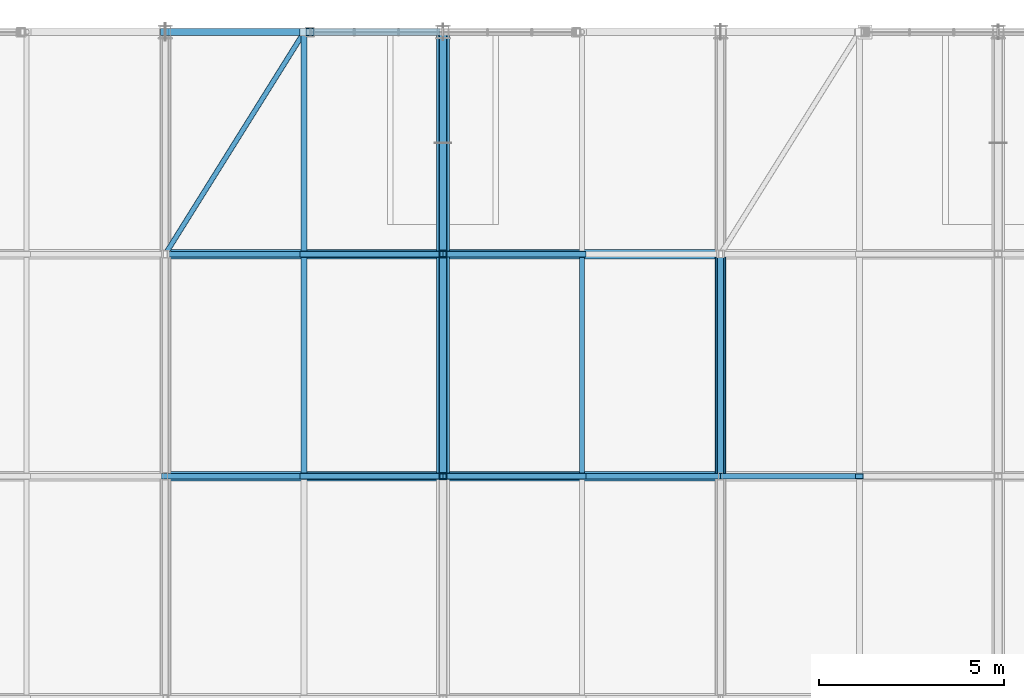
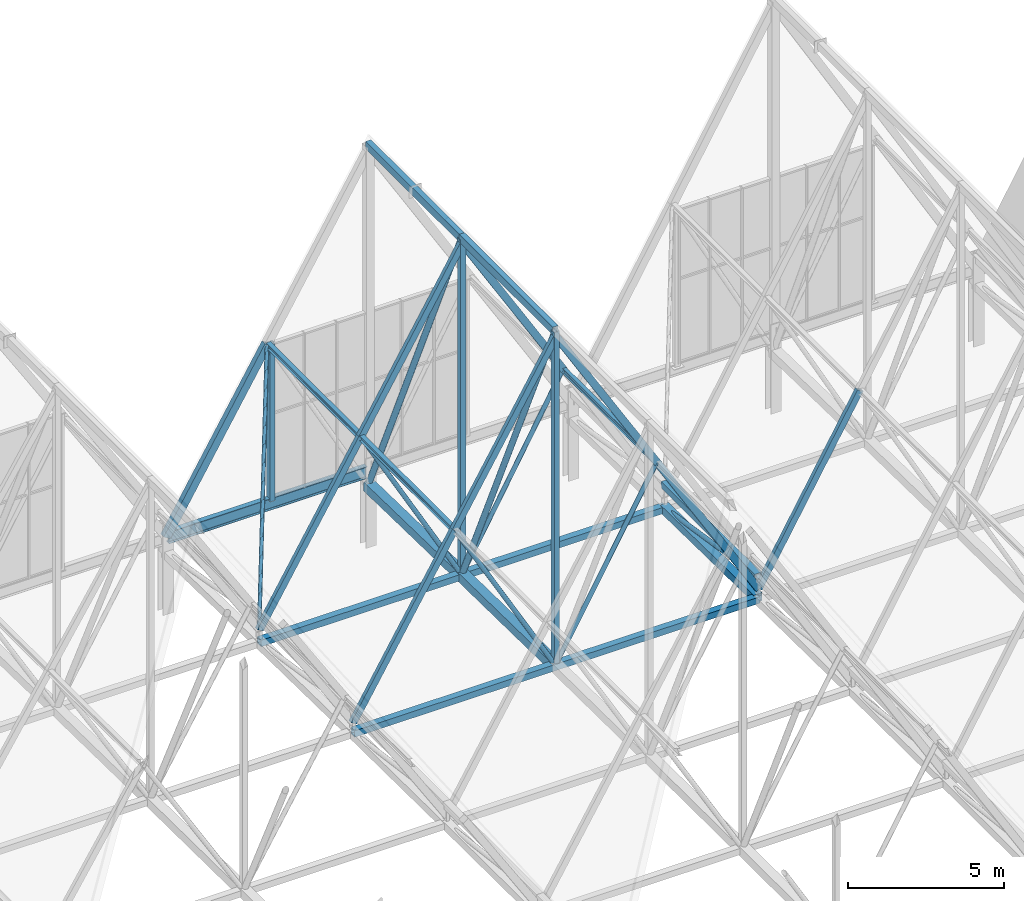
# One storey, part 114 of 324: 28 members, 4 beams.
"""IFC4 building model written with IfcOpenShell, lengths in metres."""

from ifc_helpers import new_model, si_unit, direction, frame, origin, origin_2d, place, context, subcontext, project, spatial, hollow_rectangle, hollow_circle, i_section, extrude, material, material_profile, profile_set, type_object, element, save


model = new_model("IFC4")

# Units and contexts
model_context = context("Model", 3, precision=1e-05, world=origin(), true_north=direction((0.0, 1.0)))
body_context = subcontext(model_context, "Body", "Model", "MODEL_VIEW")
ifc_project = project(units=[si_unit("LENGTHUNIT", "METRE"), si_unit("AREAUNIT", "SQUARE_METRE"), si_unit("VOLUMEUNIT", "CUBIC_METRE"), si_unit("PLANEANGLEUNIT", "RADIAN"), si_unit("MASSUNIT", "GRAM", prefix="KILO")], contexts=[model_context])

# Site, building, storey
site_placement = place(None, origin())
site = spatial("IfcSite", under=ifc_project, at=site_placement, CompositionType="ELEMENT")
building_placement = place(site_placement, origin())
building = spatial("IfcBuilding", under=site, at=building_placement, Name="Solvenia Promenade Tram Depot", CompositionType="ELEMENT")
storey_placement = place(building_placement, frame((0.0, 0.0, 4.5)))
storey = spatial("IfcBuildingStorey", under=building, at=storey_placement, Name="L01", CompositionType="ELEMENT", Elevation=4.5)

# Members
ifc_material_1 = material(Name="Structural steel ASTM A500 Gr. C", Category="steel")
ifc_material_profile_1 = material_profile(ifc_material_1, hollow_circle(Radius=0.109619140625, WallThickness=0.008056640625, at=origin_2d()), Name="CHS219.1x8", Category="steel")
ifc_profile_set_1 = profile_set([ifc_material_profile_1], Name="Structural steel ASTM A500 Gr. C")
member_type_1 = type_object("IfcMemberType", Name="Brace-CHS219x8", PredefinedType="BRACE", material=ifc_profile_set_1)
member_1_placement = place(storey_placement, frame((37.5, 120.0, 2.446044921875), z_axis=(0.0, -0.413778842299, 0.910377432533), x_axis=(1.0, 0.0, 0.0)))
element("IfcMember", 1, at=member_1_placement, inside=storey, type_object=member_type_1, Name="Arched Truss T06 Web Diagonal S09", PredefinedType="BRACE", context=body_context, shape_type="SweptSolid", body=[
    extrude(hollow_circle(Radius=0.109619140625, WallThickness=0.008056640625, at=origin_2d()), origin(), (0.0, 0.0, 1.0), 14.50048828125),
])
member_2_placement = place(storey_placement, frame((37.5, 126.0, 2.320068359375), z_axis=(0.0, -0.410529284431, 0.911847414113), x_axis=(1.0, 0.0, 0.0)))
element("IfcMember", 2, at=member_2_placement, inside=storey, type_object=member_type_1, Name="Arched Truss T06 Web Diagonal S10", PredefinedType="BRACE", context=body_context, shape_type="SweptSolid", body=[
    extrude(hollow_circle(Radius=0.109619140625, WallThickness=0.008056640625, at=origin_2d()), origin(), (0.0, 0.0, 1.0), 14.615234375),
])
ifc_material_profile_2 = material_profile(ifc_material_1, hollow_rectangle(XDim=0.14990234375, YDim=0.25, WallThickness=0.010009765625, at=origin_2d()), Name="HSS250x150x10", Category="steel")
ifc_profile_set_2 = profile_set([ifc_material_profile_2], Name="Structural steel ASTM A500 Gr. C")
member_type_2 = type_object("IfcMemberType", Name="Chord-HSS250x150x10", PredefinedType="CHORD", material=ifc_profile_set_2)
for number, where, z_axis, x_axis, name in (
    (3, (30.0, 114.0, 2.93017578125), (0.514584433357, 0.0, 0.857439712718), (0.0, 1.0, 0.0), "Zigzag Gable 03 West Lower Rafter"),
    (4, (33.75, 114.0, 9.1787109375), (0.514584433357, 0.0, 0.857439712718), (0.0, 1.0, 0.0), "Zigzag Gable 03 West Upper Rafter"),
    (5, (37.5, 114.0, 15.42724609375), (0.514584433357, 0.0, -0.857439712718), (0.0, 1.0, 0.0), "Zigzag Gable 03 East Upper Rafter"),
    (6, (41.25, 114.0, 9.1787109375), (0.514584433357, 0.0, -0.857439712718), (0.0, 1.0, 0.0), "Zigzag Gable 03 East Lower Rafter"),
    (7, (30.0, 120.0, 2.93017578125), (0.514584433357, 0.0, 0.857439712718), (0.0, 1.0, 0.0), "Zigzag Gable 03 West Lower Rafter"),
    (8, (33.75, 120.0, 9.1787109375), (0.514584433357, 0.0, 0.857439712718), (0.0, 1.0, 0.0), "Zigzag Gable 03 West Upper Rafter"),
    (9, (37.5, 120.0, 15.42724609375), (0.514584433357, 0.0, -0.857439712718), (0.0, 1.0, 0.0), "Zigzag Gable 03 East Upper Rafter"),
):
    element("IfcMember", number, at=place(storey_placement, frame(where, z_axis=z_axis, x_axis=x_axis)), inside=storey, type_object=member_type_2, Name=name, PredefinedType="CHORD", context=body_context, shape_type="SweptSolid", body=[
        extrude(hollow_rectangle(XDim=0.14990234375, YDim=0.25, WallThickness=0.010009765625, at=origin_2d()), origin(), (0.0, 0.0, 1.0), 7.287353515625),
    ])
member_3_placement = place(storey_placement, frame((45.0, 114.0, 2.921142578125), z_axis=(0.501516268578, 0.0, 0.865148214095), x_axis=(0.0, 1.0, 0.0)))
element("IfcMember", 10, at=member_3_placement, inside=storey, type_object=member_type_2, Name="Zigzag Gable 04 West Lower Rafter", PredefinedType="CHORD", context=body_context, shape_type="SweptSolid", body=[
    extrude(hollow_rectangle(XDim=0.14990234375, YDim=0.25, WallThickness=0.010009765625, at=origin_2d()), origin(), (0.0, 0.0, 1.0), 7.477294921875),
])
ifc_material_profile_3 = material_profile(ifc_material_1, hollow_rectangle(XDim=0.25, YDim=0.25, WallThickness=0.010009765625, at=origin_2d()), Name="HSS250x250x10", Category="steel")
ifc_profile_set_3 = profile_set([ifc_material_profile_3], Name="Structural steel ASTM A500 Gr. C")
member_type_3 = type_object("IfcMemberType", Name="Chord-HSS250x250x10", PredefinedType="CHORD", material=ifc_profile_set_3)
member_4_placement = place(storey_placement, frame((45.0, 114.0, 3.3798828125), z_axis=(0.0, 1.0, 0.0), x_axis=(-1.0, 0.0, 0.0)))
element("IfcMember", 11, at=member_4_placement, inside=storey, type_object=member_type_3, Name="Arched Truss T07 Upper Chord S09", PredefinedType="CHORD", context=body_context, shape_type="SweptSolid", body=[
    extrude(hollow_rectangle(XDim=0.25, YDim=0.25, WallThickness=0.010009765625, at=origin_2d()), origin(), (0.0, 0.0, 1.0), 6.0),
])
for number, where, z_axis, x_axis, name in (
    (12, (30.0, 114.0, 2.5439453125), (1.0, 0.0, 0.0), (0.0, 1.0, 0.0), "Bottom-Chord Catenary Lateral Tie 026"),
    (13, (30.0, 120.0, 2.446044921875), (1.0, 0.0, 0.0), (0.0, 1.0, 0.0), "Bottom-Chord Catenary Lateral Tie 027"),
):
    element("IfcMember", number, at=place(storey_placement, frame(where, z_axis=z_axis, x_axis=x_axis)), inside=storey, type_object=member_type_3, Name=name, PredefinedType="CHORD", context=body_context, shape_type="SweptSolid", body=[
        extrude(hollow_rectangle(XDim=0.25, YDim=0.25, WallThickness=0.010009765625, at=origin_2d()), origin(), (0.0, 0.0, 1.0), 15.0),
    ])
ifc_material_profile_4 = material_profile(ifc_material_1, hollow_rectangle(XDim=0.199951171875, YDim=0.300048828125, WallThickness=0.012451171875, at=origin_2d()), Name="HSS300x200x12.5", Category="steel")
ifc_profile_set_4 = profile_set([ifc_material_profile_4], Name="Structural steel ASTM A500 Gr. C")
member_type_4 = type_object("IfcMemberType", Name="Chord-HSS300x200x12", PredefinedType="CHORD", material=ifc_profile_set_4)
for number, where, z_axis, x_axis, name in (
    (14, (37.5, 114.0, 15.64697265625), (0.0, 1.0, 0.0), (-1.0, 0.0, 0.0), "Arched Truss T06 Upper Chord S09"),
    (15, (37.5, 120.0, 15.64697265625), (0.0, 1.0, 0.0), (-1.0, 0.0, 0.0), "Arched Truss T06 Upper Chord S10"),
):
    element("IfcMember", number, at=place(storey_placement, frame(where, z_axis=z_axis, x_axis=x_axis)), inside=storey, type_object=member_type_4, Name=name, PredefinedType="CHORD", context=body_context, shape_type="SweptSolid", body=[
        extrude(hollow_rectangle(XDim=0.199951171875, YDim=0.300048828125, WallThickness=0.012451171875, at=origin_2d()), origin(), (0.0, 0.0, 1.0), 6.0),
    ])
member_5_placement = place(storey_placement, frame((30.0, 126.0, 2.93017578125), z_axis=(0.514584433357, 0.0, 0.857439712718), x_axis=(0.0, 1.0, 0.0)))
element("IfcMember", 16, at=member_5_placement, inside=storey, type_object=member_type_4, Name="Zigzag Gable 03 West Lower Rafter", PredefinedType="CHORD", context=body_context, shape_type="SweptSolid", body=[
    extrude(hollow_rectangle(XDim=0.199951171875, YDim=0.300048828125, WallThickness=0.012451171875, at=origin_2d()), origin(), (0.0, 0.0, 1.0), 7.287353515625),
])
ifc_material_profile_5 = material_profile(ifc_material_1, hollow_rectangle(XDim=0.300048828125, YDim=0.300048828125, WallThickness=0.012451171875, at=origin_2d()), Name="HSS300x300x12.5", Category="steel")
ifc_profile_set_5 = profile_set([ifc_material_profile_5], Name="Structural steel ASTM A500 Gr. C")
member_type_5 = type_object("IfcMemberType", Name="Chord-HSS300x300x12", PredefinedType="CHORD", material=ifc_profile_set_5)
member_6_placement = place(storey_placement, frame((45.0, 114.0, 2.5439453125), z_axis=(0.0, 0.999866908707, -0.016314560156), x_axis=(-1.0, 0.0, 0.0)))
element("IfcMember", 17, at=member_6_placement, inside=storey, type_object=member_type_5, Name="Arched Truss T07 Bottom Chord S09", PredefinedType="CHORD", context=body_context, shape_type="SweptSolid", body=[
    extrude(hollow_rectangle(XDim=0.300048828125, YDim=0.300048828125, WallThickness=0.012451171875, at=origin_2d()), origin(), (0.0, 0.0, 1.0), 6.000732421875),
])
ifc_material_profile_6 = material_profile(ifc_material_1, hollow_rectangle(XDim=0.35009765625, YDim=0.35009765625, WallThickness=0.01611328125, at=origin_2d()), Name="HSS350x350x16", Category="steel")
ifc_profile_set_6 = profile_set([ifc_material_profile_6], Name="Structural steel ASTM A500 Gr. C")
member_type_6 = type_object("IfcMemberType", Name="Chord-HSS350x350x16", PredefinedType="CHORD", material=ifc_profile_set_6)
member_7_placement = place(storey_placement, frame((37.5, 114.0, 2.5439453125), z_axis=(0.0, 0.999866908707, -0.016314560156), x_axis=(-1.0, 0.0, 0.0)))
element("IfcMember", 18, at=member_7_placement, inside=storey, type_object=member_type_6, Name="Arched Truss T06 Bottom Chord S09", PredefinedType="CHORD", context=body_context, shape_type="SweptSolid", body=[
    extrude(hollow_rectangle(XDim=0.35009765625, YDim=0.35009765625, WallThickness=0.01611328125, at=origin_2d()), origin(), (0.0, 0.0, 1.0), 6.000732421875),
])
member_8_placement = place(storey_placement, frame((37.5, 120.0, 2.446044921875), z_axis=(0.0, 0.999779654873, -0.020991467363), x_axis=(-1.0, 0.0, 0.0)))
element("IfcMember", 19, at=member_8_placement, inside=storey, type_object=member_type_6, Name="Arched Truss T06 Bottom Chord S10", PredefinedType="CHORD", context=body_context, shape_type="SweptSolid", body=[
    extrude(hollow_rectangle(XDim=0.35009765625, YDim=0.35009765625, WallThickness=0.01611328125, at=origin_2d()), origin(), (0.0, 0.0, 1.0), 6.001220703125),
])
ifc_material_profile_7 = material_profile(ifc_material_1, hollow_rectangle(XDim=0.199951171875, YDim=0.199951171875, WallThickness=0.010009765625, at=origin_2d()), Name="HSS200x200x10", Category="steel")
ifc_profile_set_7 = profile_set([ifc_material_profile_7], Name="Structural steel ASTM A500 Gr. C")
member_type_7 = type_object("IfcMemberType", Name="Post-HSS200x200x10", PredefinedType="POST", material=ifc_profile_set_7)
member_9_placement = place(storey_placement, frame((37.5, 114.0, 2.5439453125), z_axis=(0.0, 0.0, 1.0), x_axis=(1.0, 0.0, 0.0)))
element("IfcMember", 20, at=member_9_placement, inside=storey, type_object=member_type_7, Name="Arched Truss T06 Web Post S08", PredefinedType="POST", context=body_context, shape_type="SweptSolid", body=[
    extrude(hollow_rectangle(XDim=0.199951171875, YDim=0.199951171875, WallThickness=0.010009765625, at=origin_2d()), origin(), (0.0, 0.0, 1.0), 13.10302734375),
])
member_10_placement = place(storey_placement, frame((37.5, 120.0, 2.446044921875), z_axis=(0.0, 0.0, 1.0), x_axis=(1.0, 0.0, 0.0)))
element("IfcMember", 21, at=member_10_placement, inside=storey, type_object=member_type_7, Name="Arched Truss T06 Web Post S09", PredefinedType="POST", context=body_context, shape_type="SweptSolid", body=[
    extrude(hollow_rectangle(XDim=0.199951171875, YDim=0.199951171875, WallThickness=0.010009765625, at=origin_2d()), origin(), (0.0, 0.0, 1.0), 13.200927734375),
])
member_11_placement = place(storey_placement, frame((33.89990234375, 126.0, 3.0), z_axis=(0.0, 0.0, 1.0), x_axis=(1.0, 0.0, 0.0)))
element("IfcMember", 22, at=member_11_placement, inside=storey, type_object=member_type_7, Name="Gable Curtain-Wall Steel Jamb Post 009", PredefinedType="POST", context=body_context, shape_type="SweptSolid", body=[
    extrude(hollow_rectangle(XDim=0.199951171875, YDim=0.199951171875, WallThickness=0.010009765625, at=origin_2d()), origin(), (0.0, 0.0, 1.0), 6.14990234375),
])

# Beams
ifc_material_2 = material(Name="Structural steel ASTM A992 Gr. 50", Category="steel")
ifc_material_profile_8 = material_profile(ifc_material_2, i_section(OverallWidth=0.133056640625, OverallDepth=0.20703125, WebThickness=0.005859375, FlangeThickness=0.00830078125, FilletRadius=0.009033203125, at=origin_2d()), Name="W200x27", Category="steel")
ifc_profile_set_8 = profile_set([ifc_material_profile_8], Name="Structural steel ASTM A992 Gr. 50")
beam_type_1 = type_object("IfcBeamType", Name="Purlin-W200x27", PredefinedType="USERDEFINED", material=ifc_profile_set_8)
beam_1_placement = place(storey_placement, frame((41.25, 114.0849609375, 9.169677734375), z_axis=(0.0, 1.0, 0.0), x_axis=(-1.0, 0.0, 0.0)))
element("IfcBeam", 23, at=beam_1_placement, inside=storey, type_object=beam_type_1, Name="Gable Roof Purlin E-0058", ObjectType="PURLIN", PredefinedType="USERDEFINED", context=body_context, shape_type="SweptSolid", body=[
    extrude(i_section(OverallWidth=0.133056640625, OverallDepth=0.20703125, WebThickness=0.005859375, FlangeThickness=0.00830078125, FilletRadius=0.009033203125, at=origin_2d()), origin(), (0.0, 0.0, 1.0), 5.830078125),
])
ifc_material_profile_9 = material_profile(ifc_material_2, i_section(OverallWidth=0.1650390625, OverallDepth=0.200927734375, WebThickness=0.006103515625, FlangeThickness=0.01025390625, FilletRadius=0.010009765625, at=origin_2d()), Name="W200x36", Category="steel")
ifc_profile_set_9 = profile_set([ifc_material_profile_9], Name="Structural steel ASTM A992 Gr. 50")
beam_type_2 = type_object("IfcBeamType", Name="Purlin-W200x36", PredefinedType="USERDEFINED", material=ifc_profile_set_9)
for number, where, z_axis, x_axis, name in (
    (24, (33.75, 114.0849609375, 9.169677734375), (0.0, 1.0, 0.0), (-1.0, 0.0, 0.0), "Gable Roof Purlin W-0057"),
    (25, (33.75, 120.0849609375, 9.169677734375), (0.0, 1.0, 0.0), (-1.0, 0.0, 0.0), "Gable Roof Purlin W-0059"),
):
    element("IfcBeam", number, at=place(storey_placement, frame(where, z_axis=z_axis, x_axis=x_axis)), inside=storey, type_object=beam_type_2, Name=name, ObjectType="PURLIN", PredefinedType="USERDEFINED", context=body_context, shape_type="SweptSolid", body=[
        extrude(i_section(OverallWidth=0.1650390625, OverallDepth=0.200927734375, WebThickness=0.006103515625, FlangeThickness=0.01025390625, FilletRadius=0.010009765625, at=origin_2d()), origin(), (0.0, 0.0, 1.0), 5.830078125),
    ])

# Member
ifc_material_profile_10 = material_profile(ifc_material_1, hollow_circle(Radius=0.06982421875, WallThickness=0.00634765625, at=origin_2d()), Name="CHS139.7x6.3", Category="steel")
ifc_profile_set_10 = profile_set([ifc_material_profile_10], Name="Structural steel ASTM A500 Gr. C")
member_type_8 = type_object("IfcMemberType", Name="RoofBrace-CHS140x6", PredefinedType="BRACE", material=ifc_profile_set_10)
member_12_placement = place(storey_placement, frame((30.0, 120.0, 2.93017578125), z_axis=(0.397261161555, 0.635617858488, 0.661946755783), x_axis=(-0.847998304005, 0.529998940003, 0.0)))
element("IfcMember", 26, at=member_12_placement, inside=storey, type_object=member_type_8, Name="Roof Plan Wind Brace 006", PredefinedType="BRACE", context=body_context, shape_type="SweptSolid", body=[
    extrude(hollow_circle(Radius=0.06982421875, WallThickness=0.00634765625, at=origin_2d()), origin(), (0.0, 0.0, 1.0), 9.439697265625),
])

# Beam
ifc_material_profile_11 = material_profile(ifc_material_2, i_section(OverallWidth=0.19091796875, OverallDepth=0.4599609375, WebThickness=0.010009765625, FlangeThickness=0.01611328125, FilletRadius=0.012939453125, at=origin_2d()), Name="W460x82", Category="steel")
ifc_profile_set_11 = profile_set([ifc_material_profile_11], Name="Structural steel ASTM A992 Gr. 50")
beam_type_3 = type_object("IfcBeamType", Name="Spandrel-W460x82", PredefinedType="SPANDREL", material=ifc_profile_set_11)
beam_2_placement = place(storey_placement, frame((30.0849609375, 126.0, 2.889892578125), z_axis=(1.0, 0.0, 0.0), x_axis=(0.0, 1.0, 0.0)))
element("IfcBeam", 27, at=beam_2_placement, inside=storey, type_object=beam_type_3, Name="North Shed Eave Girder BM-L01-0972", PredefinedType="SPANDREL", context=body_context, shape_type="SweptSolid", body=[
    extrude(i_section(OverallWidth=0.19091796875, OverallDepth=0.4599609375, WebThickness=0.010009765625, FlangeThickness=0.01611328125, FilletRadius=0.012939453125, at=origin_2d()), origin(), (0.0, 0.0, 1.0), 7.330078125),
])

# Members
ifc_material_profile_12 = material_profile(ifc_material_1, hollow_circle(Radius=0.084228515625, WallThickness=0.008056640625, at=origin_2d()), Name="CHS168.3x8", Category="steel")
ifc_profile_set_12 = profile_set([ifc_material_profile_12], Name="Structural steel ASTM A500 Gr. C")
member_type_9 = type_object("IfcMemberType", Name="WebDiag-CHS168x8", PredefinedType="BRACE", material=ifc_profile_set_12)
member_13_placement = place(storey_placement, frame((45.0, 120.0, 2.446044921875), z_axis=(0.0, -0.9881038455, 0.153788135133), x_axis=(1.0, 0.0, 0.0)))
element("IfcMember", 28, at=member_13_placement, inside=storey, type_object=member_type_9, Name="Arched Truss T07 Web Diagonal S09", PredefinedType="BRACE", context=body_context, shape_type="SweptSolid", body=[
    extrude(hollow_circle(Radius=0.084228515625, WallThickness=0.008056640625, at=origin_2d()), origin(), (0.0, 0.0, 1.0), 6.072265625),
])
for number, where, z_axis, x_axis, name in (
    (29, (37.5, 114.0, 2.5439453125), (-0.492048812039, 0.0, 0.870567611717), (0.0, -1.0, 0.0), "Zigzag Gable 03 West Knee Strut"),
    (30, (37.5, 114.0, 2.5439453125), (0.492048812039, 0.0, 0.870567611717), (0.0, 1.0, 0.0), "Zigzag Gable 03 East Knee Strut"),
):
    element("IfcMember", number, at=place(storey_placement, frame(where, z_axis=z_axis, x_axis=x_axis)), inside=storey, type_object=member_type_9, Name=name, PredefinedType="BRACE", context=body_context, shape_type="SweptSolid", body=[
        extrude(hollow_circle(Radius=0.084228515625, WallThickness=0.008056640625, at=origin_2d()), origin(), (0.0, 0.0, 1.0), 7.62109375),
    ])
for number, where, z_axis, x_axis, name in (
    (31, (37.5, 120.0, 2.446044921875), (-0.486597510161, 0.0, 0.873626271986), (0.0, -1.0, 0.0), "Zigzag Gable 03 West Knee Strut"),
    (32, (37.5, 120.0, 2.446044921875), (0.486597510161, 0.0, 0.873626271986), (0.0, 1.0, 0.0), "Zigzag Gable 03 East Knee Strut"),
):
    element("IfcMember", number, at=place(storey_placement, frame(where, z_axis=z_axis, x_axis=x_axis)), inside=storey, type_object=member_type_9, Name=name, PredefinedType="BRACE", context=body_context, shape_type="SweptSolid", body=[
        extrude(hollow_circle(Radius=0.084228515625, WallThickness=0.008056640625, at=origin_2d()), origin(), (0.0, 0.0, 1.0), 7.70654296875),
    ])

save(model, "model.ifc")
